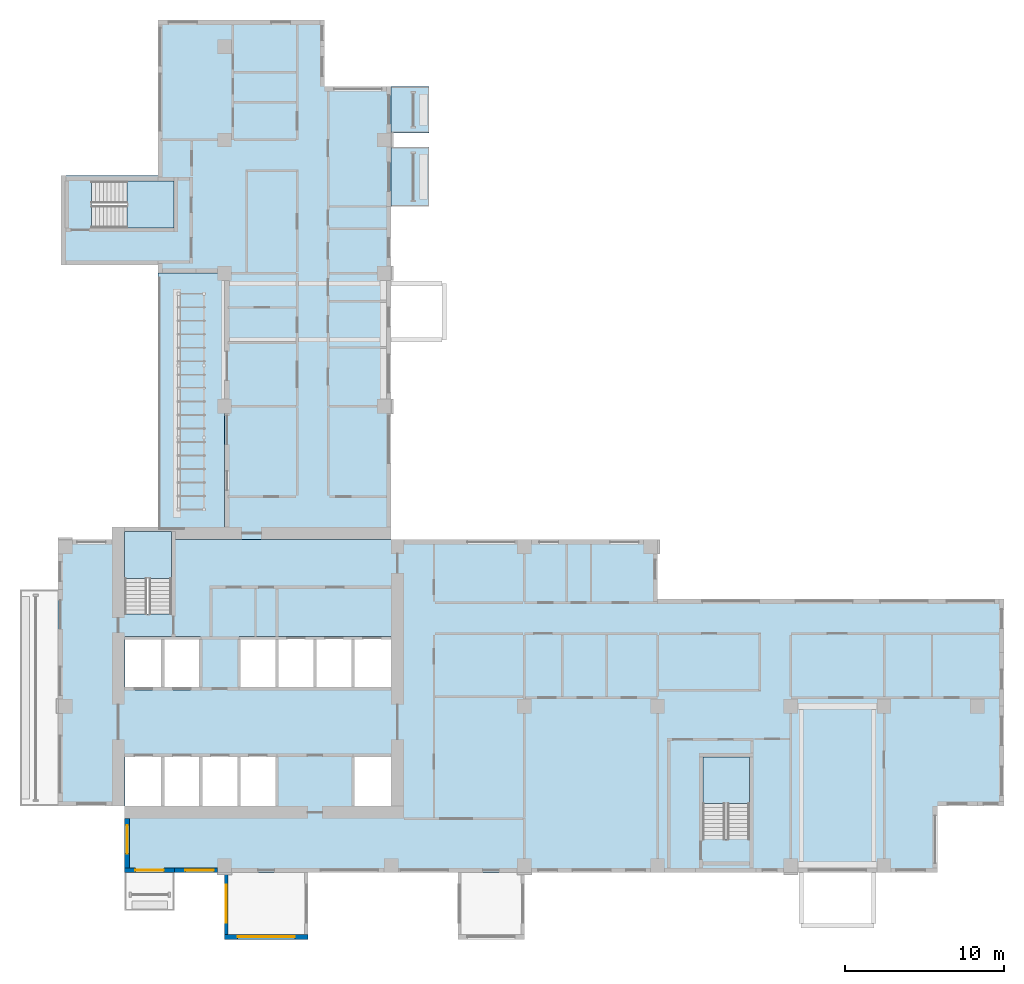
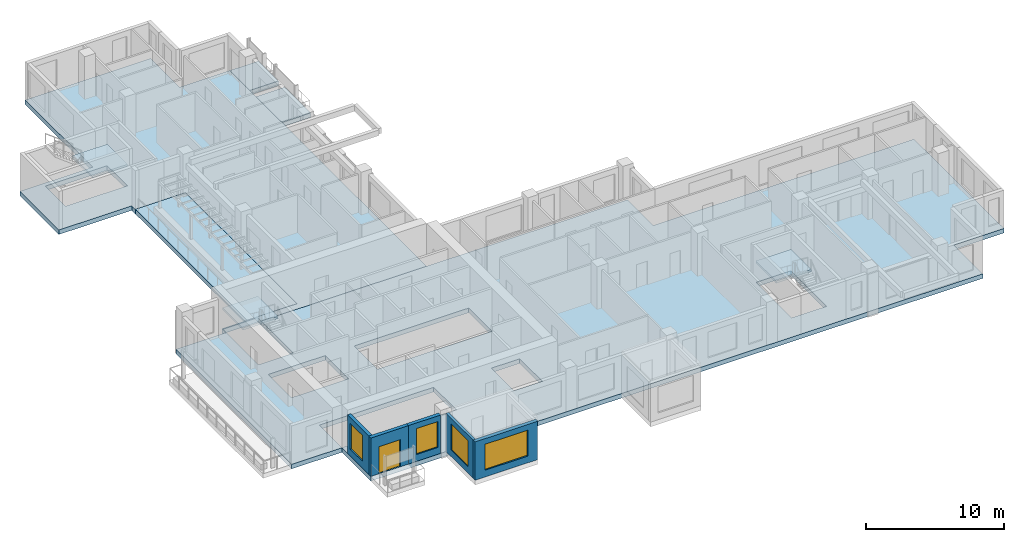
# One storey, part 3 of 14: 8 slabs, 5 walls, 4 windows, 1 door, 5 openings, 3 elements without a shape of their own.
"""IFC4 building model written with IfcOpenShell, lengths in metres."""

from ifc_helpers import new_model, si_unit, direction, frame, frame_2d, origin, place, context, subcontext, project, spatial, polyline, rectangle, outline, extrude, source, transform, mapped, material, layer, layer_set, type_object, element, fill, aggregate, save


model = new_model("IFC4")

# Units and contexts
model_context = context("Model", 3, precision=1e-05, world=origin(), true_north=direction((0.0, 1.0)))
body_context = subcontext(model_context, "Body", "Model", "MODEL_VIEW")
ifc_project = project(units=[si_unit("LENGTHUNIT", "METRE"), si_unit("AREAUNIT", "SQUARE_METRE"), si_unit("VOLUMEUNIT", "CUBIC_METRE"), si_unit("PLANEANGLEUNIT", "RADIAN"), si_unit("MASSUNIT", "GRAM", prefix="KILO")], contexts=[model_context])

# Site, building, storey
site_placement = place(None, origin())
site = spatial("IfcSite", under=ifc_project, at=site_placement, CompositionType="ELEMENT")
building_placement = place(site_placement, origin())
building = spatial("IfcBuilding", under=site, at=building_placement, Name="Aurelian Terraces", CompositionType="ELEMENT")
storey_placement = place(building_placement, frame((0.0, 0.0, 185.4)))
storey = spatial("IfcBuildingStorey", under=building, at=storey_placement, Name="L40", CompositionType="ELEMENT", Elevation=185.4)

# Slabs
ifc_material_1 = material(Name="Concrete fc' 40 MPa", Category="concrete")
ifc_layer_1 = layer(ifc_material_1, 0.4)
ifc_layer_set_1 = layer_set([ifc_layer_1], Name="PT FLAT PLATE 400")
slab_type_1 = type_object("IfcSlabType", Name="PT FLAT PLATE 400", PredefinedType="FLOOR", material=ifc_layer_set_1)
shared_shape_1 = source(origin(), body_context, "Body", "SweptSolid", [
    extrude(outline(polyline([(6.3, 43.95), (6.3, 49.56), (6.3, 53.76), (10.5, 53.76), (16.8, 53.76), (16.8, 49.56), (21.0, 49.56), (21.0, 21.0), (7.14, 21.0), (7.14, 21.49), (4.21, 21.49), (4.21, 21.0), (4.2, 21.0), (4.2, 21.6), (6.3, 21.6), (10.5, 21.6), (10.5, 37.8), (6.3, 37.8), (6.3, 38.3), (0.2, 38.3), (0.2, 43.95), (6.3, 43.95)]), holes=[polyline([(7.29, 43.59), (2.11, 43.59), (2.11, 40.66), (7.29, 40.66), (7.29, 43.59)])]), origin(), (0.0, 0.0, 1.0), 0.4),
])
slab_1_placement = place(storey_placement, frame((0.0, 0.0, -0.4)))
element("IfcSlab", 1, at=slab_1_placement, inside=storey, type_object=slab_type_1, Name="Floor slab W L40", PredefinedType="FLOOR", context=body_context, shape_type="MappedRepresentation", body=[
    mapped(shared_shape_1, transform((0.0, 0.0, 0.0), scale=1.0)),
])
shared_shape_2 = source(origin(), body_context, "Body", "SweptSolid", [
    extrude(outline(polyline([(59.64, 4.2), (55.44, 4.2), (55.44, 0.0), (21.0, 0.0), (4.2, 0.0), (4.2, 4.2), (0.0, 4.2), (0.0, 21.0), (4.21, 21.0), (4.21, 16.31), (7.14, 16.31), (7.14, 21.0), (21.0, 21.0), (37.8, 21.0), (37.8, 17.25), (55.44, 17.25), (59.64, 17.25), (59.64, 16.8), (59.64, 16.65), (59.64, 4.2)]), holes=[polyline([(40.66, 2.11), (43.59, 2.11), (43.59, 7.29), (40.66, 7.29), (40.66, 2.11)]), polyline([(18.61, 7.49), (18.61, 4.21), (20.99, 4.21), (20.99, 7.49), (18.61, 7.49)]), polyline([(20.99, 14.89), (11.41, 14.89), (11.41, 11.51), (20.99, 11.51), (20.99, 14.89)]), polyline([(4.21, 7.49), (4.21, 4.21), (13.79, 4.21), (13.79, 7.49), (4.21, 7.49)]), polyline([(4.21, 14.89), (4.21, 11.51), (8.99, 11.51), (8.99, 14.89), (4.21, 14.89)])]), origin(), (0.0, 0.0, 1.0), 0.4),
])
slab_2_placement = place(storey_placement, frame((0.0, 0.0, -0.4)))
element("IfcSlab", 2, at=slab_2_placement, inside=storey, type_object=slab_type_1, Name="Floor slab S L40", PredefinedType="FLOOR", context=body_context, shape_type="MappedRepresentation", body=[
    mapped(shared_shape_2, transform((0.0, 0.0, 0.0), scale=1.0)),
])
ifc_layer_2 = layer(ifc_material_1, 0.4)
ifc_layer_set_2 = layer_set([ifc_layer_2], Name="Balcony slab 400")
slab_type_2 = type_object("IfcSlabType", Name="Balcony slab 400", PredefinedType="NOTDEFINED", material=ifc_layer_set_2)
shared_shape_3 = source(origin(), body_context, "Body", "SweptSolid", [
    extrude(outline(polyline([(21.0, 42.0), (21.0, 45.75), (23.4, 45.75), (23.4, 42.0), (21.0, 42.0)])), origin(), (0.0, 0.0, 1.0), 0.4),
])
slab_3_placement = place(storey_placement, frame((0.0, 0.0, -0.4)))
element("IfcSlab", 3, at=slab_3_placement, inside=storey, type_object=slab_type_2, Name="Balcony slab L40 F08.22", PredefinedType="NOTDEFINED", context=body_context, shape_type="MappedRepresentation", body=[
    mapped(shared_shape_3, transform((0.0, 0.0, 0.0), scale=1.0)),
])
shared_shape_4 = source(origin(), body_context, "Body", "SweptSolid", [
    extrude(outline(polyline([(21.0, 46.65), (21.0, 49.56), (23.4, 49.56), (23.4, 46.65), (21.0, 46.65)])), origin(), (0.0, 0.0, 1.0), 0.4),
])
slab_4_placement = place(storey_placement, frame((0.0, 0.0, -0.4)))
element("IfcSlab", 4, at=slab_4_placement, inside=storey, type_object=slab_type_2, Name="Balcony slab L40 F08.23", PredefinedType="NOTDEFINED", context=body_context, shape_type="MappedRepresentation", body=[
    mapped(shared_shape_4, transform((0.0, 0.0, 0.0), scale=1.0)),
])
ifc_layer_3 = layer(ifc_material_1, 0.4001)
ifc_layer_set_3 = layer_set([ifc_layer_3], Name="Terrace slab 400")
slab_type_3 = type_object("IfcSlabType", Name="Terrace slab 400", PredefinedType="NOTDEFINED", material=ifc_layer_set_3)
shared_shape_5 = source(origin(), body_context, "Body", "SweptSolid", [
    extrude(outline(polyline([(10.5, 21.6), (6.3, 21.6), (6.3, 37.8), (10.5, 37.8), (10.5, 21.6)])), origin(), (0.0, 0.0, 1.0), 0.4001),
])
slab_5_placement = place(storey_placement, frame((0.0, 0.0, -0.4001)))
element("IfcSlab", 5, at=slab_5_placement, inside=storey, type_object=slab_type_3, Name="Sky terrace L40 SKY-06-T1", PredefinedType="NOTDEFINED", context=body_context, shape_type="MappedRepresentation", body=[
    mapped(shared_shape_5, transform((0.0, 0.0, 0.0), scale=1.0)),
])

# Stair, slab
stair_type = type_object("IfcStairType", Name="Stair 1400", PredefinedType="HALF_TURN_STAIR", material=ifc_material_1)
stair_1_placement = place(storey_placement, origin())
stair_1 = element("IfcStair", 6, at=stair_1_placement, inside=storey, type_object=stair_type, Name="L40 S1", PredefinedType="HALF_TURN_STAIR")
ifc_layer_4 = layer(ifc_material_1, 0.2)
ifc_layer_set_4 = layer_set([ifc_layer_4], Name="Stair landing 200")
slab_type_4 = type_object("IfcSlabType", Name="Stair landing 200", PredefinedType="LANDING", material=ifc_layer_set_4)
shared_shape_6 = source(origin(), body_context, "Body", "SweptSolid", [
    extrude(outline(polyline([(7.15, 18.55), (7.15, 21.5), (4.2, 21.5), (4.2, 18.55), (7.15, 18.55)])), origin(), (0.0, 0.0, 1.0), 0.2),
])
slab_6_placement = place(storey_placement, frame((0.0, 0.0, 1.7)))
slab_6 = element("IfcSlab", 7, at=slab_6_placement, type_object=slab_type_4, Name="S1 landing 1", PredefinedType="LANDING", context=body_context, shape_type="MappedRepresentation", body=[
    mapped(shared_shape_6, transform((0.0, 0.0, 0.0), scale=1.0)),
])
aggregate(stair_1, [slab_6])

stair_2_placement = place(storey_placement, origin())
stair_2 = element("IfcStair", 8, at=stair_2_placement, inside=storey, type_object=stair_type, Name="L40 S2", PredefinedType="HALF_TURN_STAIR")
shared_shape_7 = source(origin(), body_context, "Body", "SweptSolid", [
    extrude(outline(polyline([(43.6, 4.35), (43.6, 7.3), (40.65, 7.3), (40.65, 4.35), (43.6, 4.35)])), origin(), (0.0, 0.0, 1.0), 0.2),
])
slab_7_placement = place(storey_placement, frame((0.0, 0.0, 1.7)))
slab_7 = element("IfcSlab", 9, at=slab_7_placement, type_object=slab_type_4, Name="S2 landing 1", PredefinedType="LANDING", context=body_context, shape_type="MappedRepresentation", body=[
    mapped(shared_shape_7, transform((0.0, 0.0, 0.0), scale=1.0)),
])
aggregate(stair_2, [slab_7])

stair_3_placement = place(storey_placement, origin())
stair_3 = element("IfcStair", 10, at=stair_3_placement, inside=storey, type_object=stair_type, Name="L40 S3", PredefinedType="HALF_TURN_STAIR")
shared_shape_8 = source(origin(), body_context, "Body", "SweptSolid", [
    extrude(outline(polyline([(4.35, 40.65), (7.3, 40.65), (7.3, 43.6), (4.35, 43.6), (4.35, 40.65)])), origin(), (0.0, 0.0, 1.0), 0.2),
])
slab_8_placement = place(storey_placement, frame((0.0, 0.0, 1.7)))
slab_8 = element("IfcSlab", 11, at=slab_8_placement, type_object=slab_type_4, Name="S3 landing 1", PredefinedType="LANDING", context=body_context, shape_type="MappedRepresentation", body=[
    mapped(shared_shape_8, transform((0.0, 0.0, 0.0), scale=1.0)),
])
aggregate(stair_3, [slab_8])

# Wall, opening, window
ifc_layer_5 = layer(ifc_material_1, 0.3)
ifc_layer_set_5 = layer_set([ifc_layer_5], Name="BOX BEARING WALL 300")
wall_type_1 = type_object("IfcWallType", Name="BOX BEARING WALL 300", PredefinedType="SOLIDWALL", material=ifc_layer_set_5)
wall_1_placement = place(storey_placement, frame((10.5, -4.05, 0.0), z_axis=(0.0, 0.0, 1.0), x_axis=(1.0, 0.0, 0.0)))
wall_1 = element("IfcWall", 12, at=wall_1_placement, inside=storey, type_object=wall_type_1, Name="Box wall L40 J54", PredefinedType="SOLIDWALL", context=body_context, shape_type="SweptSolid", body=[
    extrude(rectangle(XDim=5.25, YDim=0.3, at=frame_2d((2.625, 0.0))), origin(), (0.0, 0.0, 1.0), 3.4),
])
shared_shape_9 = source(origin(), body_context, "Body", "SweptSolid", [
    extrude(rectangle(XDim=3.6, YDim=2.3, at=frame_2d((1.8, 1.15))), frame((0.0, 0.16, 0.0), z_axis=(0.0, -1.0, 0.0), x_axis=(1.0, 0.0, 0.0)), (0.0, 0.0, 1.0), 0.32),
])
opening_1_placement = place(wall_1_placement, frame((0.825, 0.0, 0.6)))
opening_1 = element("IfcOpeningElement", 13, at=opening_1_placement, cuts=wall_1, Name="Opening W3623", PredefinedType="OPENING", context=body_context, shape_type="MappedRepresentation", body=[
    mapped(shared_shape_9, transform((0.0, 0.0, 0.0), scale=1.0)),
])
ifc_material_2 = material(Name="Clear glazing", Category="glass")
window_type_1 = type_object("IfcWindowType", Name="W-3600x2300", PartitioningType="SINGLE_PANEL", PredefinedType="WINDOW", material=ifc_material_2)
shared_shape_10 = source(origin(), body_context, "Body", "SweptSolid", [
    extrude(rectangle(XDim=3.6, YDim=2.3, at=frame_2d((1.8, 1.15))), frame((0.0, 0.03, 0.0), z_axis=(0.0, -1.0, 0.0), x_axis=(1.0, 0.0, 0.0)), (0.0, 0.0, 1.0), 0.06),
])
window_1_placement = place(opening_1_placement, origin())
window_1 = element("IfcWindow", 14, at=window_1_placement, inside=storey, type_object=window_type_1, Name="Window L40 J54-F1", OverallHeight=2.3, OverallWidth=3.6, PartitioningType="SINGLE_PANEL", PredefinedType="WINDOW", context=body_context, shape_type="MappedRepresentation", body=[
    mapped(shared_shape_10, transform((0.0, 0.0, 0.0), scale=1.0)),
])
fill(opening_1, window_1)

ifc_material_3 = material(Name="Terracotta rainscreen cladding", Category="masonry")
ifc_layer_6 = layer(ifc_material_3, 0.3)
ifc_layer_set_6 = layer_set([ifc_layer_6], Name="EW-300")
wall_type_2 = type_object("IfcWallType", Name="EW-300", PredefinedType="STANDARD", material=ifc_layer_set_6)
shared_shape_11 = source(origin(), body_context, "Body", "SweptSolid", [
    extrude(rectangle(XDim=3.4, YDim=0.3, at=frame_2d((1.7, 0.0))), origin(), (0.0, 0.0, 1.0), 3.4),
])
wall_2_placement = place(storey_placement, frame((4.35, 3.4, 0.0), z_axis=(0.0, 0.0, 1.0), x_axis=(0.0, -1.0, 0.0)))
wall_2 = element("IfcWall", 15, at=wall_2_placement, inside=storey, type_object=wall_type_2, Name="External wall L40 F24.41", PredefinedType="STANDARD", context=body_context, shape_type="MappedRepresentation", body=[
    mapped(shared_shape_11, transform((0.0, 0.0, 0.0), scale=1.0)),
])
shared_shape_12 = source(origin(), body_context, "Body", "SweptSolid", [
    extrude(rectangle(XDim=1.8, YDim=2.3, at=frame_2d((0.9, 1.15))), frame((0.0, 0.16, 0.0), z_axis=(0.0, -1.0, 0.0), x_axis=(1.0, 0.0, 0.0)), (0.0, 0.0, 1.0), 0.32),
])
opening_2_placement = place(wall_2_placement, frame((0.4, 0.0, 0.6)))
opening_2 = element("IfcOpeningElement", 16, at=opening_2_placement, cuts=wall_2, Name="Opening W1823", PredefinedType="OPENING", context=body_context, shape_type="MappedRepresentation", body=[
    mapped(shared_shape_12, transform((0.0, 0.0, 0.0), scale=1.0)),
])
window_type_2 = type_object("IfcWindowType", Name="W-1800x2300", PartitioningType="SINGLE_PANEL", PredefinedType="WINDOW", material=ifc_material_2)
shared_shape_13 = source(origin(), body_context, "Body", "SweptSolid", [
    extrude(rectangle(XDim=1.8, YDim=2.3, at=frame_2d((0.9, 1.15))), frame((0.0, 0.03, 0.0), z_axis=(0.0, -1.0, 0.0), x_axis=(1.0, 0.0, 0.0)), (0.0, 0.0, 1.0), 0.06),
])
window_2_placement = place(opening_2_placement, origin())
window_2 = element("IfcWindow", 17, at=window_2_placement, inside=storey, type_object=window_type_2, Name="Window L40 L40-F24-41-0", OverallHeight=2.3, OverallWidth=1.8, PartitioningType="SINGLE_PANEL", PredefinedType="WINDOW", context=body_context, shape_type="MappedRepresentation", body=[
    mapped(shared_shape_13, transform((0.0, 0.0, 0.0), scale=1.0)),
])
fill(opening_2, window_2)

ifc_layer_7 = layer(ifc_material_1, 0.2)
ifc_layer_set_7 = layer_set([ifc_layer_7], Name="BOX BEARING WALL 200")
wall_type_3 = type_object("IfcWallType", Name="BOX BEARING WALL 200", PredefinedType="SOLIDWALL", material=ifc_layer_set_7)
shared_shape_14 = source(origin(), body_context, "Body", "SweptSolid", [
    extrude(rectangle(XDim=3.9, YDim=0.2, at=frame_2d((1.95, 0.0))), origin(), (0.0, 0.0, 1.0), 3.4),
])
wall_3_placement = place(storey_placement, frame((10.6, 0.0, 0.0), z_axis=(0.0, 0.0, 1.0), x_axis=(0.0, -1.0, 0.0)))
wall_3 = element("IfcWall", 18, at=wall_3_placement, inside=storey, type_object=wall_type_3, Name="Box return L40 J54.1", PredefinedType="SOLIDWALL", context=body_context, shape_type="MappedRepresentation", body=[
    mapped(shared_shape_14, transform((0.0, 0.0, 0.0), scale=1.0)),
])
shared_shape_15 = source(origin(), body_context, "Body", "SweptSolid", [
    extrude(rectangle(XDim=2.4, YDim=2.3, at=frame_2d((1.2, 1.15))), frame((0.0, 0.11, 0.0), z_axis=(0.0, -1.0, 0.0), x_axis=(1.0, 0.0, 0.0)), (0.0, 0.0, 1.0), 0.22),
])
opening_3_placement = place(wall_3_placement, frame((0.75, 0.0, 0.6)))
opening_3 = element("IfcOpeningElement", 19, at=opening_3_placement, cuts=wall_3, Name="Opening W2423", PredefinedType="OPENING", context=body_context, shape_type="MappedRepresentation", body=[
    mapped(shared_shape_15, transform((0.0, 0.0, 0.0), scale=1.0)),
])
window_type_3 = type_object("IfcWindowType", Name="W-2400x2300", PartitioningType="SINGLE_PANEL", PredefinedType="WINDOW", material=ifc_material_2)
shared_shape_16 = source(origin(), body_context, "Body", "SweptSolid", [
    extrude(rectangle(XDim=2.4, YDim=2.3, at=frame_2d((1.2, 1.15))), frame((0.0, 0.03, 0.0), z_axis=(0.0, -1.0, 0.0), x_axis=(1.0, 0.0, 0.0)), (0.0, 0.0, 1.0), 0.06),
])
window_3_placement = place(opening_3_placement, origin())
window_3 = element("IfcWindow", 20, at=window_3_placement, inside=storey, type_object=window_type_3, Name="Window L40 J54-S1", OverallHeight=2.3, OverallWidth=2.4, PartitioningType="SINGLE_PANEL", PredefinedType="WINDOW", context=body_context, shape_type="MappedRepresentation", body=[
    mapped(shared_shape_16, transform((0.0, 0.0, 0.0), scale=1.0)),
])
fill(opening_3, window_3)

# Wall, opening, door
shared_shape_17 = source(origin(), body_context, "Body", "SweptSolid", [
    extrude(rectangle(XDim=3.15, YDim=0.3, at=frame_2d((1.575, 0.0))), origin(), (0.0, 0.0, 1.0), 3.4),
])
wall_4_placement = place(storey_placement, frame((4.2, 0.15, 0.0), z_axis=(0.0, 0.0, 1.0), x_axis=(1.0, 0.0, 0.0)))
wall_4 = element("IfcWall", 21, at=wall_4_placement, inside=storey, type_object=wall_type_2, Name="External wall L40 F01.1", PredefinedType="STANDARD", context=body_context, shape_type="MappedRepresentation", body=[
    mapped(shared_shape_17, transform((0.0, 0.0, 0.0), scale=1.0)),
])
shared_shape_18 = source(origin(), body_context, "Body", "SweptSolid", [
    extrude(rectangle(XDim=1.8, YDim=2.4, at=frame_2d((0.9, 1.2))), frame((0.0, 0.16, 0.0), z_axis=(0.0, -1.0, 0.0), x_axis=(1.0, 0.0, 0.0)), (0.0, 0.0, 1.0), 0.32),
])
opening_4_placement = place(wall_4_placement, frame((0.675, 0.0, 0.0)))
opening_4 = element("IfcOpeningElement", 22, at=opening_4_placement, cuts=wall_4, Name="Opening 84001", PredefinedType="OPENING", context=body_context, shape_type="MappedRepresentation", body=[
    mapped(shared_shape_18, transform((0.0, 0.0, 0.0), scale=1.0)),
])
door_type = type_object("IfcDoorType", Name="BD-1800x2400", OperationType="SLIDING_TO_LEFT", PredefinedType="DOOR", material=ifc_material_2)
shared_shape_19 = source(origin(), body_context, "Body", "SweptSolid", [
    extrude(rectangle(XDim=1.8, YDim=2.4, at=frame_2d((0.9, 1.2))), frame((0.0, 0.025, 0.0), z_axis=(0.0, -1.0, 0.0), x_axis=(1.0, 0.0, 0.0)), (0.0, 0.0, 1.0), 0.05),
])
door_placement = place(opening_4_placement, origin())
door = element("IfcDoor", 23, at=door_placement, inside=storey, type_object=door_type, Name="Balcony door L40 F01.1", OperationType="SLIDING_TO_LEFT", OverallHeight=2.4, OverallWidth=1.8, PredefinedType="DOOR", context=body_context, shape_type="MappedRepresentation", body=[
    mapped(shared_shape_19, transform((0.0, 0.0, 0.0), scale=1.0)),
])
fill(opening_4, door)

# Wall, opening, window
shared_shape_20 = source(origin(), body_context, "Body", "SweptSolid", [
    extrude(rectangle(XDim=2.7, YDim=0.3, at=frame_2d((1.35, 0.0))), origin(), (0.0, 0.0, 1.0), 3.4),
])
wall_5_placement = place(storey_placement, frame((7.35, 0.15, 0.0), z_axis=(0.0, 0.0, 1.0), x_axis=(1.0, 0.0, 0.0)))
wall_5 = element("IfcWall", 24, at=wall_5_placement, inside=storey, type_object=wall_type_2, Name="External wall L40 F01.2", PredefinedType="STANDARD", context=body_context, shape_type="MappedRepresentation", body=[
    mapped(shared_shape_20, transform((0.0, 0.0, 0.0), scale=1.0)),
])
opening_5_placement = place(wall_5_placement, frame((0.675, 0.0, 0.6)))
opening_5 = element("IfcOpeningElement", 25, at=opening_5_placement, cuts=wall_5, Name="Opening W1823", PredefinedType="OPENING", context=body_context, shape_type="MappedRepresentation", body=[
    mapped(shared_shape_12, transform((0.0, 0.0, 0.0), scale=1.0)),
])
window_4_placement = place(opening_5_placement, origin())
window_4 = element("IfcWindow", 26, at=window_4_placement, inside=storey, type_object=window_type_2, Name="Window L40 L40-F01-02-0", OverallHeight=2.3, OverallWidth=1.8, PartitioningType="SINGLE_PANEL", PredefinedType="WINDOW", context=body_context, shape_type="MappedRepresentation", body=[
    mapped(shared_shape_13, transform((0.0, 0.0, 0.0), scale=1.0)),
])
fill(opening_5, window_4)

save(model, "model.ifc")
